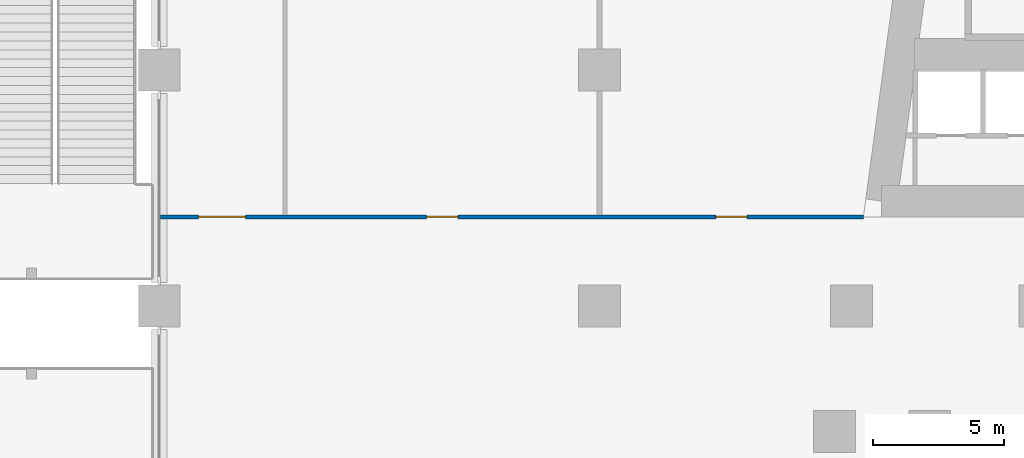
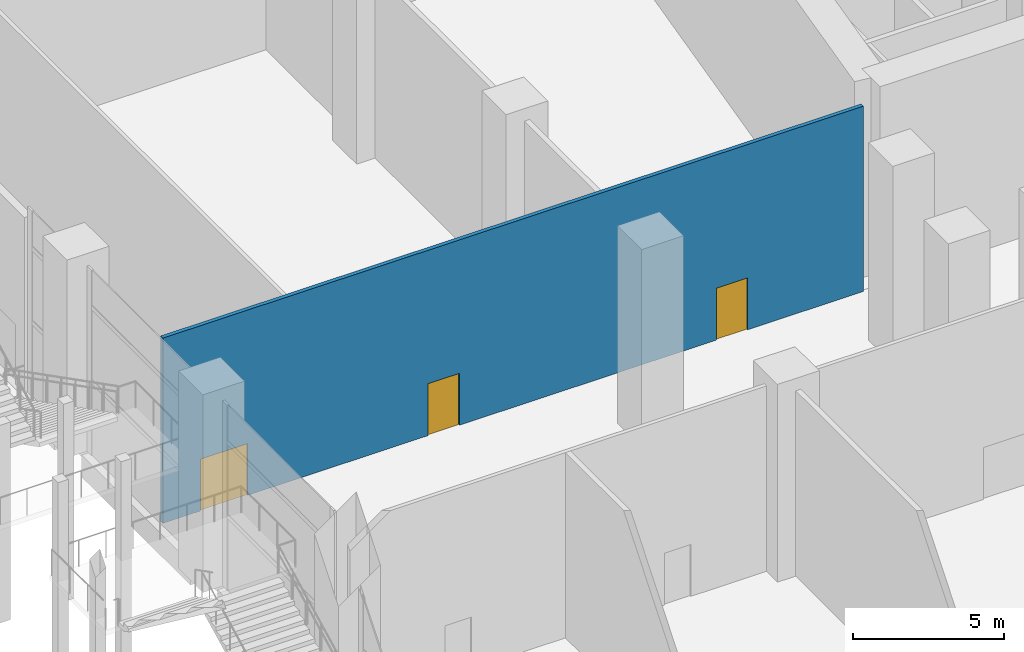
# One storey, part 23 of 52: 3 doors, 1 wall, 3 openings.
"""IFC4 building model written with IfcOpenShell, lengths in metres."""

from ifc_helpers import new_model, si_unit, direction, frame, frame_2d, origin, place, context, subcontext, project, spatial, rectangle, extrude, material, layer, layer_set, type_object, element, fill, save


model = new_model("IFC4")

# Units and contexts
model_context = context("Model", 3, precision=1e-05, world=origin(), true_north=direction((0.0, 1.0)))
body_context = subcontext(model_context, "Body", "Model", "MODEL_VIEW")
ifc_project = project(units=[si_unit("LENGTHUNIT", "METRE"), si_unit("AREAUNIT", "SQUARE_METRE"), si_unit("VOLUMEUNIT", "CUBIC_METRE"), si_unit("PLANEANGLEUNIT", "RADIAN"), si_unit("MASSUNIT", "GRAM", prefix="KILO")], contexts=[model_context])

# Site, building, storey
site_placement = place(None, origin())
site = spatial("IfcSite", under=ifc_project, at=site_placement, CompositionType="ELEMENT")
building_placement = place(site_placement, origin())
building = spatial("IfcBuilding", under=site, at=building_placement, Name="Candeia Pilgrim Tower and Theatre", CompositionType="ELEMENT")
storey_placement = place(building_placement, frame((0.0, 0.0, 9.0)))
storey = spatial("IfcBuildingStorey", under=building, at=storey_placement, Name="L01", CompositionType="ELEMENT", Elevation=9.0)

# Wall, openings, doors
ifc_material_1 = material(Name="Gypsum board partition on steel studs", Category="steel")
ifc_layer = layer(ifc_material_1, 0.14990234375)
ifc_layer_set = layer_set([ifc_layer], Name="PW-150 lobby wall")
wall_type = type_object("IfcWallType", Name="PW-150 lobby wall", PredefinedType="PARTITIONING", material=ifc_layer_set)
wall_placement = place(storey_placement, frame((58.85009765625, 110.39990234375, 0.0), z_axis=(0.0, 0.0, 1.0), x_axis=(1.0, 0.0, 0.0)))
wall = element("IfcWall", 1, at=wall_placement, inside=storey, type_object=wall_type, Name="Lobby wall L01-002", PredefinedType="PARTITIONING", context=body_context, shape_type="SweptSolid", body=[
    extrude(rectangle(XDim=26.81884765625, YDim=0.14990234375, at=frame_2d((13.409423828125, 0.0))), origin(), (0.0, 0.0, 1.0), 7.5),
])
opening_1_placement = place(wall_placement, frame((10.14990234375, 0.0, 0.0)))
opening_1 = element("IfcOpeningElement", 2, at=opening_1_placement, cuts=wall, Name="Opening L01-D009", PredefinedType="OPENING", context=body_context, shape_type="SweptSolid", body=[
    extrude(rectangle(XDim=1.199951171875, YDim=2.10009765625, at=frame_2d((0.60009765625, 1.050048828125))), frame((0.0, 0.0849609375, 0.0), z_axis=(0.0, -1.0, 0.0), x_axis=(1.0, 0.0, 0.0)), (0.0, 0.0, 1.0), 0.169921875),
])
opening_2_placement = place(wall_placement, frame((21.18505859375, 0.0, 0.0)))
opening_2 = element("IfcOpeningElement", 3, at=opening_2_placement, cuts=wall, Name="Opening L01-D010", PredefinedType="OPENING", context=body_context, shape_type="SweptSolid", body=[
    extrude(rectangle(XDim=1.199951171875, YDim=2.10009765625, at=frame_2d((0.60009765625, 1.050048828125))), frame((0.0, 0.0849609375, 0.0), z_axis=(0.0, -1.0, 0.0), x_axis=(1.0, 0.0, 0.0)), (0.0, 0.0, 1.0), 0.169921875),
])
opening_3_placement = place(wall_placement, frame((1.449951171875, 0.0, 0.0)))
opening_3 = element("IfcOpeningElement", 4, at=opening_3_placement, cuts=wall, Name="Opening L01-D028", PredefinedType="OPENING", context=body_context, shape_type="SweptSolid", body=[
    extrude(rectangle(XDim=1.800048828125, YDim=2.10009765625, at=frame_2d((0.89990234375, 1.050048828125))), frame((0.0, 0.0849609375, 0.0), z_axis=(0.0, -1.0, 0.0), x_axis=(1.0, 0.0, 0.0)), (0.0, 0.0, 1.0), 0.169921875),
])
ifc_material_2 = material(Name="Steel fire door set", Category="steel")
door_type_1 = type_object("IfcDoorType", Name="D-1200-FD30S", OperationType="NOTDEFINED", PredefinedType="DOOR", material=ifc_material_2)
door_1_placement = place(opening_1_placement, origin())
door_1 = element("IfcDoor", 5, at=door_1_placement, inside=storey, type_object=door_type_1, Name="Door L01-D009", OperationType="SINGLE_SWING_RIGHT", OverallHeight=2.10009765625, OverallWidth=1.199951171875, PredefinedType="DOOR", context=body_context, shape_type="SweptSolid", body=[
    extrude(rectangle(XDim=1.199951171875, YDim=2.10009765625, at=frame_2d((0.60009765625, 1.050048828125))), frame((0.0, 0.02490234375, 0.0), z_axis=(0.0, -1.0, 0.0), x_axis=(1.0, 0.0, 0.0)), (0.0, 0.0, 1.0), 0.050048828125),
])
fill(opening_1, door_1)
door_2_placement = place(opening_2_placement, origin())
door_2 = element("IfcDoor", 6, at=door_2_placement, inside=storey, type_object=door_type_1, Name="Door L01-D010", OperationType="SINGLE_SWING_LEFT", OverallHeight=2.10009765625, OverallWidth=1.199951171875, PredefinedType="DOOR", context=body_context, shape_type="SweptSolid", body=[
    extrude(rectangle(XDim=1.199951171875, YDim=2.10009765625, at=frame_2d((0.60009765625, 1.050048828125))), frame((0.0, 0.02490234375, 0.0), z_axis=(0.0, -1.0, 0.0), x_axis=(1.0, 0.0, 0.0)), (0.0, 0.0, 1.0), 0.050048828125),
])
fill(opening_2, door_2)
door_type_2 = type_object("IfcDoorType", Name="D-1800-FD60", OperationType="NOTDEFINED", PredefinedType="DOOR", material=ifc_material_2)
door_3_placement = place(opening_3_placement, origin())
door_3 = element("IfcDoor", 7, at=door_3_placement, inside=storey, type_object=door_type_2, Name="Door L01-D028", OperationType="SINGLE_SWING_LEFT", OverallHeight=2.10009765625, OverallWidth=1.800048828125, PredefinedType="DOOR", context=body_context, shape_type="SweptSolid", body=[
    extrude(rectangle(XDim=1.800048828125, YDim=2.10009765625, at=frame_2d((0.89990234375, 1.050048828125))), frame((0.0, 0.02490234375, 0.0), z_axis=(0.0, -1.0, 0.0), x_axis=(1.0, 0.0, 0.0)), (0.0, 0.0, 1.0), 0.050048828125),
])
fill(opening_3, door_3)

save(model, "model.ifc")
